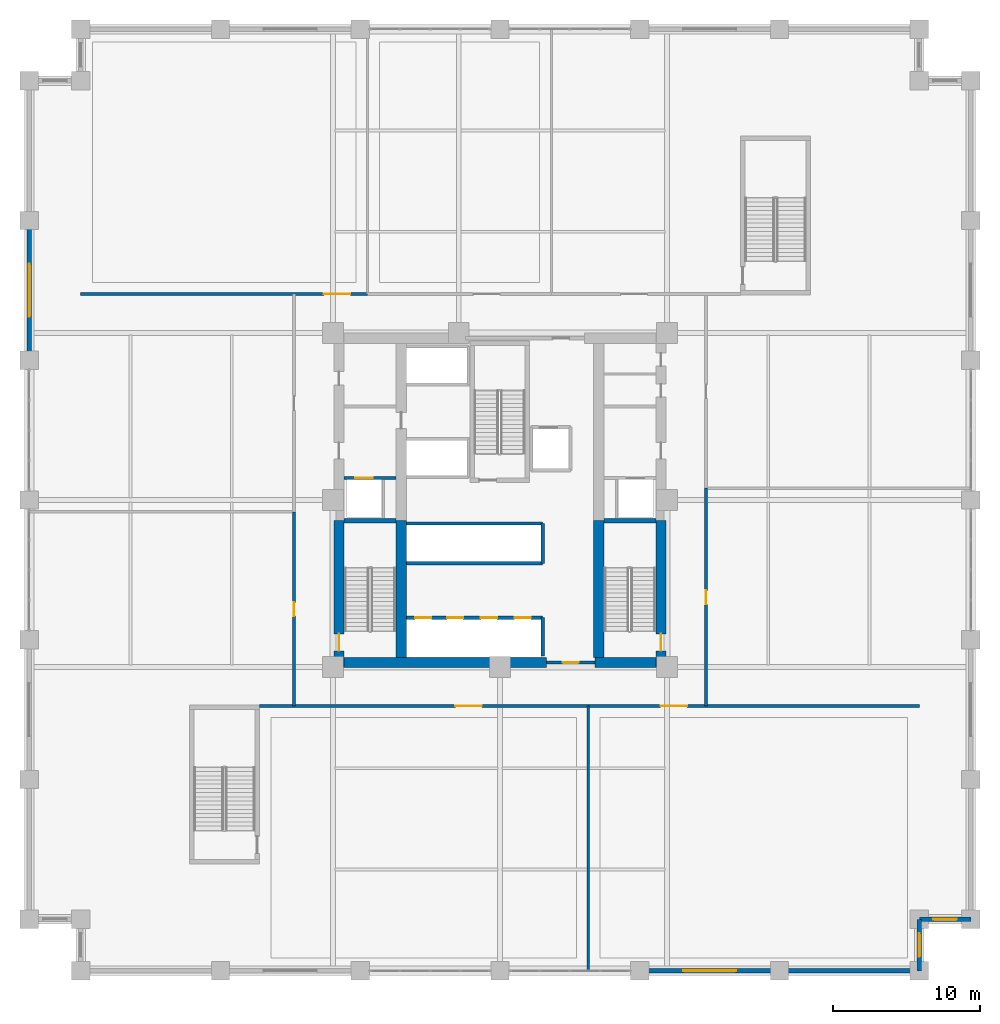
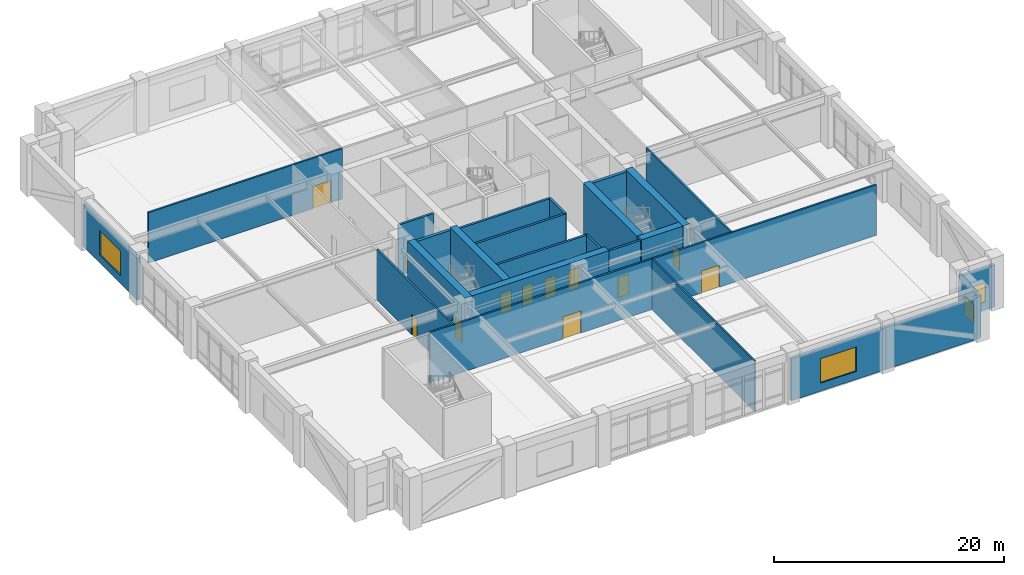
# One storey, part 12 of 21: 26 walls, 13 doors, 4 windows, 17 openings.
"""IFC4 building model written with IfcOpenShell, lengths in metres."""

import ifcopenshell
import ifcopenshell.guid

model = None  # the IFC model being written
_history = None  # IfcOwnerHistory: only IFC2X3 demands one
_inside = {}  # id of a spatial element -> (the spatial element, [elements in it])
_under = {}  # id of a project, library or spatial element -> (it, [spatial elements below it])
_declared = {}  # id of a project -> (the project, [libraries it declares])
_typed = {}  # id of a type object -> (the type object, [elements of that type])
_made_of = {}  # id of a material, layer set ... -> (it, [elements and type objects made of it])


def new_model(schema):
    """Start an empty IFC model of exactly this schema.

    Asked for "IFC4X3", IfcOpenShell would pick the latest addendum, in which some entities
    have other attributes; the version numbers below select the first issue.
    IFC2X3 requires an IfcOwnerHistory on every rooted entity: one is made here for all.
    """
    global model, _history
    if schema == "IFC4X3":
        model = ifcopenshell.file(schema_version=(4, 3, 0, 0))
    else:
        model = ifcopenshell.file(schema=schema)
    _inside.clear()
    _under.clear()
    _declared.clear()
    _typed.clear()
    _made_of.clear()
    _history = None
    if model.schema == "IFC2X3":
        org = make("IfcOrganization", Name="unknown")
        user = make(
            "IfcPersonAndOrganization",
            ThePerson=make("IfcPerson", FamilyName="unknown"),
            TheOrganization=org,
        )
        app = make(
            "IfcApplication",
            ApplicationDeveloper=org,
            Version="unknown",
            ApplicationFullName="unknown",
            ApplicationIdentifier="unknown",
        )
        _history = make(
            "IfcOwnerHistory",
            OwningUser=user,
            OwningApplication=app,
            ChangeAction="ADDED",
            CreationDate=0,
        )
    return model


def make(cls, **values):
    """One entity of the class cls with the attributes given. An attribute that is None is left unset."""
    return model.create_entity(
        cls, **{name: value for name, value in values.items() if value is not None}
    )


def rooted(cls, **values):
    """An entity with a GlobalId (a new one), such as an element, a storey or a relation."""
    return make(cls, GlobalId=ifcopenshell.guid.new(), OwnerHistory=_history, **values)


def si_unit(unit_type, name, prefix=None):
    """IfcSIUnit, for example si_unit("LENGTHUNIT", "METRE", prefix="MILLI")."""
    return make("IfcSIUnit", UnitType=unit_type, Prefix=prefix, Name=name)


def assignment(units):
    """IfcUnitAssignment: the units of a project."""
    return None if units is None else make("IfcUnitAssignment", Units=units)


def point(xyz):
    """IfcCartesianPoint."""
    return None if xyz is None else make("IfcCartesianPoint", Coordinates=xyz)


def direction(xyz):
    """IfcDirection."""
    return None if xyz is None else make("IfcDirection", DirectionRatios=xyz)


def frame(location, z_axis=None, x_axis=None):
    """IfcAxis2Placement3D, a coordinate frame: its origin and axes. An axis left out is left unset."""
    return make(
        "IfcAxis2Placement3D",
        Location=point(location),
        Axis=direction(z_axis),
        RefDirection=direction(x_axis),
    )


def frame_2d(location, x_axis=None):
    """IfcAxis2Placement2D, a coordinate frame in the plane: its origin and x axis."""
    return make(
        "IfcAxis2Placement2D", Location=point(location), RefDirection=direction(x_axis)
    )


def origin():
    """The frame at (0, 0, 0) with its axes left unset."""
    return frame((0.0, 0.0, 0.0))


def place(relative_to, where):
    """IfcLocalPlacement: puts the frame where relative to a parent placement (None: the world)."""
    return make(
        "IfcLocalPlacement", PlacementRelTo=relative_to, RelativePlacement=where
    )


def context(
    kind, dimensions, precision=None, world=None, true_north=None, identifier=None
):
    """IfcGeometricRepresentationContext, for example the 3D "Model" context."""
    return make(
        "IfcGeometricRepresentationContext",
        ContextIdentifier=identifier,
        ContextType=kind,
        CoordinateSpaceDimension=dimensions,
        Precision=precision,
        WorldCoordinateSystem=world,
        TrueNorth=true_north,
    )


def subcontext(parent, identifier, kind, view, scale=None):
    """IfcGeometricRepresentationSubContext, for example "Body" below "Model"."""
    return make(
        "IfcGeometricRepresentationSubContext",
        ContextIdentifier=identifier,
        ContextType=kind,
        ParentContext=parent,
        TargetScale=scale,
        TargetView=view,
    )


def project(units=None, contexts=None):
    """IfcProject with its units and contexts."""
    return rooted(
        "IfcProject",
        Name="project",
        RepresentationContexts=contexts,
        UnitsInContext=assignment(units),
    )


def spatial(cls, under=None, at=None, **own):
    """A site, building, storey or space (cls), placed at a placement, below another one or the project."""
    s = rooted(cls, ObjectPlacement=at, **own)
    if under is not None:
        _under.setdefault(under.id(), (under, []))[1].append(s)
    return s


def profile(cls, at=None, kind="AREA", **sizes):
    """A parametric profile (cls). Its sizes go by their IFC names, for example OverallWidth=200.0."""
    return make(cls, ProfileType=kind, Position=at, **sizes)


def rectangle(**sizes):
    """IfcRectangleProfileDef."""
    return profile("IfcRectangleProfileDef", **sizes)


def extrude(swept, where, along, depth):
    """IfcExtrudedAreaSolid: the profile swept, set in the frame where, extruded along a direction by depth."""
    return make(
        "IfcExtrudedAreaSolid",
        SweptArea=swept,
        Position=where,
        ExtrudedDirection=direction(along),
        Depth=depth,
    )


def shape(context_of_items, identifier, shape_type, items):
    """IfcShapeRepresentation: the items that make up one representation, for example the "Body"."""
    return make(
        "IfcShapeRepresentation",
        ContextOfItems=context_of_items,
        RepresentationIdentifier=identifier,
        RepresentationType=shape_type,
        Items=items,
    )


def material(Name=None, Category=None):
    """IfcMaterial."""
    return make("IfcMaterial", Name=Name, Category=Category)


def layer(
    of_material, thickness, ventilated=None, Name=None, Category=None, Priority=None
):
    """IfcMaterialLayer: one layer of a wall or slab, of a material (None: an air gap)."""
    return make(
        "IfcMaterialLayer",
        Material=of_material,
        LayerThickness=thickness,
        IsVentilated=ventilated,
        Name=Name,
        Category=Category,
        Priority=Priority,
    )


def layer_set(layers, Name=None):
    """IfcMaterialLayerSet."""
    return make("IfcMaterialLayerSet", MaterialLayers=layers, LayerSetName=Name)


def made_of(thing, what):
    """Note that an element or type object is made of a material, layer set ...; save() writes the relation."""
    if what is not None:
        _made_of.setdefault(what.id(), (what, []))[1].append(thing)
    return thing


def type_object(cls, material=None, **own):
    """A type object (cls), such as IfcWallType, which elements share."""
    return made_of(rooted(cls, **own), material)


def element(
    cls,
    number,
    at=None,
    inside=None,
    cuts=None,
    type_object=None,
    material=None,
    context=None,
    identifier="Body",
    shape_type=None,
    held_by="IfcProductDefinitionShape",
    body=None,
    shapes=None,
    **own,
):
    """One element of the class cls, such as IfcWall. Its Tag is "e" and its number.

    at: its placement. inside: the storey or other place that contains it. cuts: it is an
    opening in that element (IfcRelVoidsElement). A single representation is given by context,
    identifier, shape_type and body (its items); several are given by shapes. held_by: the class
    of the entity that holds the representations. save() writes the other relations.
    """
    e = rooted(cls, Tag="e%d" % number, ObjectPlacement=at, **own)
    if body is not None:
        shapes = [shape(context, identifier, shape_type, body)]
    if shapes is not None:
        e.Representation = make(held_by, Representations=shapes)
    if inside is not None:
        _inside.setdefault(inside.id(), (inside, []))[1].append(e)
    if cuts is not None:
        rooted(
            "IfcRelVoidsElement", RelatingBuildingElement=cuts, RelatedOpeningElement=e
        )
    if type_object is not None:
        _typed.setdefault(type_object.id(), (type_object, []))[1].append(e)
    return made_of(e, material)


def fill(opening, filler):
    """IfcRelFillsElement: the door or window that sits in an opening."""
    return rooted(
        "IfcRelFillsElement",
        RelatingOpeningElement=opening,
        RelatedBuildingElement=filler,
    )


def aggregate(whole, parts):
    """IfcRelAggregates: a whole, such as a stair, and the parts it consists of."""
    return rooted("IfcRelAggregates", RelatingObject=whole, RelatedObjects=parts)


def save(model, path):
    """Write the relations noted so far, then the file.

    IfcRelAggregates (storeys below a building ...), IfcRelContainedInSpatialStructure (elements
    in a storey), IfcRelDefinesByType, IfcRelAssociatesMaterial and IfcRelDeclares: one each for
    every whole, place, type object, material and project.
    """
    for whole, parts in _under.values():
        aggregate(whole, parts)
    for where, things in _inside.values():
        rooted(
            "IfcRelContainedInSpatialStructure",
            RelatedElements=things,
            RelatingStructure=where,
        )
    for kind, things in _typed.values():
        rooted("IfcRelDefinesByType", RelatedObjects=things, RelatingType=kind)
    for what, things in _made_of.values():
        rooted("IfcRelAssociatesMaterial", RelatedObjects=things, RelatingMaterial=what)
    for by, libraries in _declared.values():
        rooted("IfcRelDeclares", RelatingContext=by, RelatedDefinitions=libraries)
    model.write(path)


model = new_model("IFC4")

# Units and contexts
model_context = context("Model", 3, precision=1e-05, world=origin(), true_north=direction((0.0, 1.0)))
body_context = subcontext(model_context, "Body", "Model", "MODEL_VIEW")
ifc_project = project(units=[si_unit("LENGTHUNIT", "METRE"), si_unit("AREAUNIT", "SQUARE_METRE"), si_unit("VOLUMEUNIT", "CUBIC_METRE"), si_unit("PLANEANGLEUNIT", "RADIAN"), si_unit("MASSUNIT", "GRAM", prefix="KILO")], contexts=[model_context])

# Site, building, storey
site_placement = place(None, origin())
site = spatial("IfcSite", under=ifc_project, at=site_placement, CompositionType="ELEMENT")
building_placement = place(site_placement, origin())
building = spatial("IfcBuilding", under=site, at=building_placement, Name="Nhamokura Convention Tower", CompositionType="ELEMENT")
storey_placement = place(building_placement, frame((0.0, 0.0, 6.64990234375)))
storey = spatial("IfcBuildingStorey", under=building, at=storey_placement, Name="L01", CompositionType="ELEMENT", Elevation=6.64990234375)

# Wall, opening, window
ifc_material_1 = material(Name="Bronze-pigmented precast concrete C45/55", Category="concrete")
ifc_layer_1 = layer(ifc_material_1, 0.320068359375)
ifc_layer_set_1 = layer_set([ifc_layer_1], Name="BronzePrecastSpandrel_320")
wall_type_1 = type_object("IfcWallType", Name="BronzePrecastSpandrel_320", PredefinedType="USERDEFINED", material=ifc_layer_set_1)
wall_1_placement = place(storey_placement, frame((51.0, 0.0, 0.0), z_axis=(0.0, 0.0, 1.0), x_axis=(-1.0, 0.0, 0.0)))
wall_1 = element("IfcWall", 1, at=wall_1_placement, inside=storey, type_object=wall_type_1, Name="L01 Masonry-Frame Wall SOUTH 4", ObjectType="SPANDREL_WALL", PredefinedType="USERDEFINED", context=body_context, shape_type="SweptSolid", body=[
    extrude(rectangle(XDim=9.5, YDim=0.320068359375, at=frame_2d((4.75, 0.0))), origin(), (0.0, 0.0, 1.0), 4.460205078125),
])
opening_1_placement = place(wall_1_placement, frame((2.949951171875, 0.0, 0.85009765625)))
opening_1 = element("IfcOpeningElement", 2, at=opening_1_placement, cuts=wall_1, Name="Opening W-01", PredefinedType="OPENING", context=body_context, shape_type="SweptSolid", body=[
    extrude(rectangle(XDim=3.60009765625, YDim=2.60009765625, at=frame_2d((1.800048828125, 1.300048828125))), frame((0.0, 0.169921875, 0.0), z_axis=(0.0, -1.0, 0.0), x_axis=(1.0, 0.0, 0.0)), (0.0, 0.0, 1.0), 0.340087890625),
])
ifc_material_2 = material(Name="Solar-control bronze low-E double glass", Category="glass")
window_type_1 = type_object("IfcWindowType", Name="PodiumClerestoryWindow_3600", PartitioningType="TRIPLE_PANEL_VERTICAL", PredefinedType="WINDOW", material=ifc_material_2)
window_1_placement = place(opening_1_placement, origin())
window_1 = element("IfcWindow", 3, at=window_1_placement, inside=storey, type_object=window_type_1, Name="L01 Facade Window SOUTH 4", OverallHeight=2.60009765625, OverallWidth=3.60009765625, PartitioningType="SINGLE_PANEL", PredefinedType="WINDOW", context=body_context, shape_type="SweptSolid", body=[
    extrude(rectangle(XDim=3.60009765625, YDim=2.60009765625, at=frame_2d((1.800048828125, 1.300048828125))), frame((0.0, 0.030029296875, 0.0), z_axis=(0.0, -1.0, 0.0), x_axis=(1.0, 0.0, 0.0)), (0.0, 0.0, 1.0), 0.06005859375),
])
fill(opening_1, window_1)

# Wall
wall_2_placement = place(storey_placement, frame((60.5, 0.0, 0.0), z_axis=(0.0, 0.0, 1.0), x_axis=(-1.0, 0.0, 0.0)))
element("IfcWall", 4, at=wall_2_placement, inside=storey, type_object=wall_type_1, Name="L01 Braced-Bay Precast Wall SOUTH 5", ObjectType="SPANDREL_WALL", PredefinedType="USERDEFINED", context=body_context, shape_type="SweptSolid", body=[
    extrude(rectangle(XDim=9.5, YDim=0.320068359375, at=frame_2d((4.75, 0.0))), origin(), (0.0, 0.0, 1.0), 4.460205078125),
])

# Wall, opening, window
wall_3_placement = place(storey_placement, frame((0.0, 41.5, 0.0), z_axis=(0.0, 0.0, 1.0), x_axis=(0.0, 1.0, 0.0)))
wall_3 = element("IfcWall", 5, at=wall_3_placement, inside=storey, type_object=wall_type_1, Name="L01 Masonry-Frame Wall WEST 4", ObjectType="SPANDREL_WALL", PredefinedType="USERDEFINED", context=body_context, shape_type="SweptSolid", body=[
    extrude(rectangle(XDim=9.5, YDim=0.320068359375, at=frame_2d((4.75, 0.0))), origin(), (0.0, 0.0, 1.0), 4.460205078125),
])
opening_2_placement = place(wall_3_placement, frame((2.949951171875, 0.0, 0.85009765625)))
opening_2 = element("IfcOpeningElement", 6, at=opening_2_placement, cuts=wall_3, Name="Opening W-01", PredefinedType="OPENING", context=body_context, shape_type="SweptSolid", body=[
    extrude(rectangle(XDim=3.60009765625, YDim=2.60009765625, at=frame_2d((1.800048828125, 1.300048828125))), frame((0.0, 0.169921875, 0.0), z_axis=(0.0, -1.0, 0.0), x_axis=(1.0, 0.0, 0.0)), (0.0, 0.0, 1.0), 0.340087890625),
])
window_2_placement = place(opening_2_placement, origin())
window_2 = element("IfcWindow", 7, at=window_2_placement, inside=storey, type_object=window_type_1, Name="L01 Facade Window WEST 4", OverallHeight=2.60009765625, OverallWidth=3.60009765625, PartitioningType="SINGLE_PANEL", PredefinedType="WINDOW", context=body_context, shape_type="SweptSolid", body=[
    extrude(rectangle(XDim=3.60009765625, YDim=2.60009765625, at=frame_2d((1.800048828125, 1.300048828125))), frame((0.0, 0.030029296875, 0.0), z_axis=(0.0, -1.0, 0.0), x_axis=(1.0, 0.0, 0.0)), (0.0, 0.0, 1.0), 0.06005859375),
])
fill(opening_2, window_2)

wall_4_placement = place(storey_placement, frame((60.5, 3.5, 0.0), z_axis=(0.0, 0.0, 1.0), x_axis=(0.0, -1.0, 0.0)))
wall_4 = element("IfcWall", 8, at=wall_4_placement, inside=storey, type_object=wall_type_1, Name="L01 Notched Corner Wall SE1", ObjectType="SPANDREL_WALL", PredefinedType="USERDEFINED", context=body_context, shape_type="SweptSolid", body=[
    extrude(rectangle(XDim=3.5, YDim=0.320068359375, at=frame_2d((1.75, 0.0))), origin(), (0.0, 0.0, 1.0), 4.460205078125),
])
opening_3_placement = place(wall_4_placement, frame((0.949951171875, 0.0, 0.85009765625)))
opening_3 = element("IfcOpeningElement", 9, at=opening_3_placement, cuts=wall_4, Name="Opening W-11", PredefinedType="OPENING", context=body_context, shape_type="SweptSolid", body=[
    extrude(rectangle(XDim=1.60009765625, YDim=2.050048828125, at=frame_2d((0.800048828125, 1.02490234375))), frame((0.0, 0.169921875, 0.0), z_axis=(0.0, -1.0, 0.0), x_axis=(1.0, 0.0, 0.0)), (0.0, 0.0, 1.0), 0.340087890625),
])
ifc_material_3 = material(Name="Solar-control bronze low-E double glass", Category="glass")
window_type_2 = type_object("IfcWindowType", Name="NotchCornerWindow_1600", PartitioningType="SINGLE_PANEL", PredefinedType="WINDOW", material=ifc_material_3)
window_3_placement = place(opening_3_placement, origin())
window_3 = element("IfcWindow", 10, at=window_3_placement, inside=storey, type_object=window_type_2, Name="L01 Notched Corner Window SE1", OverallHeight=2.050048828125, OverallWidth=1.60009765625, PartitioningType="SINGLE_PANEL", PredefinedType="WINDOW", context=body_context, shape_type="SweptSolid", body=[
    extrude(rectangle(XDim=1.60009765625, YDim=2.050048828125, at=frame_2d((0.800048828125, 1.02490234375))), frame((0.0, 0.030029296875, 0.0), z_axis=(0.0, -1.0, 0.0), x_axis=(1.0, 0.0, 0.0)), (0.0, 0.0, 1.0), 0.06005859375),
])
fill(opening_3, window_3)

wall_5_placement = place(storey_placement, frame((64.0, 3.5, 0.0), z_axis=(0.0, 0.0, 1.0), x_axis=(-1.0, 0.0, 0.0)))
wall_5 = element("IfcWall", 11, at=wall_5_placement, inside=storey, type_object=wall_type_1, Name="L01 Notched Corner Wall SE2", ObjectType="SPANDREL_WALL", PredefinedType="USERDEFINED", context=body_context, shape_type="SweptSolid", body=[
    extrude(rectangle(XDim=3.5, YDim=0.320068359375, at=frame_2d((1.75, 0.0))), origin(), (0.0, 0.0, 1.0), 4.460205078125),
])
opening_4_placement = place(wall_5_placement, frame((0.949951171875, 0.0, 0.85009765625)))
opening_4 = element("IfcOpeningElement", 12, at=opening_4_placement, cuts=wall_5, Name="Opening W-11", PredefinedType="OPENING", context=body_context, shape_type="SweptSolid", body=[
    extrude(rectangle(XDim=1.60009765625, YDim=2.050048828125, at=frame_2d((0.800048828125, 1.02490234375))), frame((0.0, 0.169921875, 0.0), z_axis=(0.0, -1.0, 0.0), x_axis=(1.0, 0.0, 0.0)), (0.0, 0.0, 1.0), 0.340087890625),
])
window_4_placement = place(opening_4_placement, origin())
window_4 = element("IfcWindow", 13, at=window_4_placement, inside=storey, type_object=window_type_2, Name="L01 Notched Corner Window SE2", OverallHeight=2.050048828125, OverallWidth=1.60009765625, PartitioningType="SINGLE_PANEL", PredefinedType="WINDOW", context=body_context, shape_type="SweptSolid", body=[
    extrude(rectangle(XDim=1.60009765625, YDim=2.050048828125, at=frame_2d((0.800048828125, 1.02490234375))), frame((0.0, 0.030029296875, 0.0), z_axis=(0.0, -1.0, 0.0), x_axis=(1.0, 0.0, 0.0)), (0.0, 0.0, 1.0), 0.06005859375),
])
fill(opening_4, window_4)

# Wall, opening, door
ifc_material_4 = material(Name="Concrete C70/85", Category="concrete")
ifc_layer_2 = layer(ifc_material_4, 0.699951171875)
ifc_layer_set_2 = layer_set([ifc_layer_2], Name="CoreShearWall_700")
wall_type_2 = type_object("IfcWallType", Name="CoreShearWall_700", PredefinedType="SHEAR", material=ifc_layer_set_2)
wall_6_placement = place(storey_placement, frame((21.06005859375, 20.60009765625, 0.0), z_axis=(0.0, 0.0, 1.0), x_axis=(0.0, 1.0, 0.0)))
wall_6 = element("IfcWall", 14, at=wall_6_placement, inside=storey, type_object=wall_type_2, Name="L01 Core Shear Wall CW-WS", PredefinedType="SHEAR", context=body_context, shape_type="SweptSolid", body=[
    extrude(rectangle(XDim=10.0, YDim=0.699951171875, at=frame_2d((5.0, 0.0))), origin(), (0.0, 0.0, 1.0), 5.60009765625),
])
opening_5_placement = place(wall_6_placement, frame((1.14990234375, 0.0, 0.0)))
opening_5 = element("IfcOpeningElement", 15, at=opening_5_placement, cuts=wall_6, Name="Opening D-04", PredefinedType="OPENING", context=body_context, shape_type="SweptSolid", body=[
    extrude(rectangle(XDim=1.14990234375, YDim=2.14990234375, at=frame_2d((0.574951171875, 1.074951171875))), frame((0.0, 0.35986328125, 0.0), z_axis=(0.0, -1.0, 0.0), x_axis=(1.0, 0.0, 0.0)), (0.0, 0.0, 1.0), 0.719970703125),
])
ifc_material_5 = material(Name="Fire-rated steel door", Category="steel")
door_type_1 = type_object("IfcDoorType", Name="StairSmokeDoor_1150", OperationType="NOTDEFINED", PredefinedType="DOOR", material=ifc_material_5)
door_1_placement = place(opening_5_placement, origin())
door_1 = element("IfcDoor", 16, at=door_1_placement, inside=storey, type_object=door_type_1, Name="L01 Core Door INT-L01-D-ST01", OperationType="SINGLE_SWING_LEFT", OverallHeight=2.14990234375, OverallWidth=1.14990234375, PredefinedType="DOOR", context=body_context, shape_type="SweptSolid", body=[
    extrude(rectangle(XDim=1.14990234375, YDim=2.14990234375, at=frame_2d((0.574951171875, 1.074951171875))), frame((0.0, 0.02490234375, 0.0), z_axis=(0.0, -1.0, 0.0), x_axis=(1.0, 0.0, 0.0)), (0.0, 0.0, 1.0), 0.050048828125),
])
fill(opening_5, door_1)

wall_7_placement = place(storey_placement, frame((42.93994140625, 20.60009765625, 0.0), z_axis=(0.0, 0.0, 1.0), x_axis=(0.0, 1.0, 0.0)))
wall_7 = element("IfcWall", 17, at=wall_7_placement, inside=storey, type_object=wall_type_2, Name="L01 Core Shear Wall CW-ES", PredefinedType="SHEAR", context=body_context, shape_type="SweptSolid", body=[
    extrude(rectangle(XDim=10.0, YDim=0.699951171875, at=frame_2d((5.0, 0.0))), origin(), (0.0, 0.0, 1.0), 5.60009765625),
])
opening_6_placement = place(wall_7_placement, frame((1.14990234375, 0.0, 0.0)))
opening_6 = element("IfcOpeningElement", 18, at=opening_6_placement, cuts=wall_7, Name="Opening D-04", PredefinedType="OPENING", context=body_context, shape_type="SweptSolid", body=[
    extrude(rectangle(XDim=1.14990234375, YDim=2.14990234375, at=frame_2d((0.574951171875, 1.074951171875))), frame((0.0, 0.35986328125, 0.0), z_axis=(0.0, -1.0, 0.0), x_axis=(1.0, 0.0, 0.0)), (0.0, 0.0, 1.0), 0.719970703125),
])
door_2_placement = place(opening_6_placement, origin())
door_2 = element("IfcDoor", 19, at=door_2_placement, inside=storey, type_object=door_type_1, Name="L01 Core Door INT-L01-D-ST02", OperationType="SINGLE_SWING_RIGHT", OverallHeight=2.14990234375, OverallWidth=1.14990234375, PredefinedType="DOOR", context=body_context, shape_type="SweptSolid", body=[
    extrude(rectangle(XDim=1.14990234375, YDim=2.14990234375, at=frame_2d((0.574951171875, 1.074951171875))), frame((0.0, 0.02490234375, 0.0), z_axis=(0.0, -1.0, 0.0), x_axis=(1.0, 0.0, 0.0)), (0.0, 0.0, 1.0), 0.050048828125),
])
fill(opening_6, door_2)

# Walls
wall_8_placement = place(storey_placement, frame((21.409912109375, 20.949951171875, 0.0), z_axis=(0.0, 0.0, 1.0), x_axis=(1.0, 0.0, 0.0)))
element("IfcWall", 20, at=wall_8_placement, inside=storey, type_object=wall_type_2, Name="L01 Core Shear Wall CW-S1", PredefinedType="SHEAR", context=body_context, shape_type="SweptSolid", body=[
    extrude(rectangle(XDim=13.739990234375, YDim=0.699951171875, at=frame_2d((6.8701171875, 0.0))), origin(), (0.0, 0.0, 1.0), 5.60009765625),
])
wall_9_placement = place(storey_placement, frame((38.449951171875, 20.949951171875, 0.0), z_axis=(0.0, 0.0, 1.0), x_axis=(1.0, 0.0, 0.0)))
element("IfcWall", 21, at=wall_9_placement, inside=storey, type_object=wall_type_2, Name="L01 Core Shear Wall CW-S2", PredefinedType="SHEAR", context=body_context, shape_type="SweptSolid", body=[
    extrude(rectangle(XDim=4.14013671875, YDim=0.699951171875, at=frame_2d((2.070068359375, 0.0))), origin(), (0.0, 0.0, 1.0), 5.60009765625),
])
for number, where, z_axis, x_axis, name in (
    (22, (25.2900390625, 21.300048828125, 0.0), (0.0, 0.0, 1.0), (0.0, 1.0, 0.0), "L01 Core Shear Wall CW-IWS"),
    (23, (38.7099609375, 21.300048828125, 0.0), (0.0, 0.0, 1.0), (0.0, 1.0, 0.0), "L01 Core Shear Wall CW-IES"),
):
    element("IfcWall", number, at=place(storey_placement, frame(where, z_axis=z_axis, x_axis=x_axis)), inside=storey, type_object=wall_type_2, Name=name, PredefinedType="SHEAR", context=body_context, shape_type="SweptSolid", body=[
        extrude(rectangle(XDim=9.300048828125, YDim=0.699951171875, at=frame_2d((4.64990234375, 0.0))), origin(), (0.0, 0.0, 1.0), 5.60009765625),
    ])

# Wall, opening, door
ifc_material_6 = material(Name="Fire-rated gypsum and masonry partition", Category="masonry")
ifc_layer_3 = layer(ifc_material_6, 0.179931640625)
ifc_layer_set_3 = layer_set([ifc_layer_3], Name="CorridorRatedWall_180")
wall_type_3 = type_object("IfcWallType", Name="CorridorRatedWall_180", PredefinedType="STANDARD", material=ifc_layer_set_3)
wall_10_placement = place(storey_placement, frame((15.64990234375, 18.0, 0.0), z_axis=(0.0, 0.0, 1.0), x_axis=(1.0, 0.0, 0.0)))
wall_10 = element("IfcWall", 24, at=wall_10_placement, inside=storey, type_object=wall_type_3, Name="L01 Wall INT-L01-CW-S00", PredefinedType="STANDARD", context=body_context, shape_type="SweptSolid", body=[
    extrude(rectangle(XDim=22.35009765625, YDim=0.179931640625, at=frame_2d((11.175048828125, 0.0))), origin(), (0.0, 0.0, 1.0), 5.360107421875),
])
opening_7_placement = place(wall_10_placement, frame((13.324951171875, 0.0, 0.0)))
opening_7 = element("IfcOpeningElement", 25, at=opening_7_placement, cuts=wall_10, Name="Opening D-03", PredefinedType="OPENING", context=body_context, shape_type="SweptSolid", body=[
    extrude(rectangle(XDim=1.800048828125, YDim=2.35009765625, at=frame_2d((0.89990234375, 1.175048828125))), frame((0.0, 0.099853515625, 0.0), z_axis=(0.0, -1.0, 0.0), x_axis=(1.0, 0.0, 0.0)), (0.0, 0.0, 1.0), 0.199951171875),
])
ifc_material_7 = material(Name="Solid oak hardwood", Category="wood")
door_type_2 = type_object("IfcDoorType", Name="BallroomDoubleDoor_1800", OperationType="DOUBLE_DOOR_SINGLE_SWING", PredefinedType="DOOR", material=ifc_material_7)
door_3_placement = place(opening_7_placement, origin())
door_3 = element("IfcDoor", 26, at=door_3_placement, inside=storey, type_object=door_type_2, Name="L01 Exhibition Hall A S01 Door", OperationType="SINGLE_SWING_LEFT", OverallHeight=2.35009765625, OverallWidth=1.800048828125, PredefinedType="DOOR", context=body_context, shape_type="SweptSolid", body=[
    extrude(rectangle(XDim=1.800048828125, YDim=2.35009765625, at=frame_2d((0.89990234375, 1.175048828125))), frame((0.0, 0.02490234375, 0.0), z_axis=(0.0, -1.0, 0.0), x_axis=(1.0, 0.0, 0.0)), (0.0, 0.0, 1.0), 0.050048828125),
])
fill(opening_7, door_3)

wall_11_placement = place(storey_placement, frame((38.0, 18.0, 0.0), z_axis=(0.0, 0.0, 1.0), x_axis=(1.0, 0.0, 0.0)))
wall_11 = element("IfcWall", 27, at=wall_11_placement, inside=storey, type_object=wall_type_3, Name="L01 Wall INT-L01-CW-S01", PredefinedType="STANDARD", context=body_context, shape_type="SweptSolid", body=[
    extrude(rectangle(XDim=22.5, YDim=0.179931640625, at=frame_2d((11.25, 0.0))), origin(), (0.0, 0.0, 1.0), 5.360107421875),
])
opening_8_placement = place(wall_11_placement, frame((4.925048828125, 0.0, 0.0)))
opening_8 = element("IfcOpeningElement", 28, at=opening_8_placement, cuts=wall_11, Name="Opening D-03", PredefinedType="OPENING", context=body_context, shape_type="SweptSolid", body=[
    extrude(rectangle(XDim=1.800048828125, YDim=2.35009765625, at=frame_2d((0.89990234375, 1.175048828125))), frame((0.0, 0.099853515625, 0.0), z_axis=(0.0, -1.0, 0.0), x_axis=(1.0, 0.0, 0.0)), (0.0, 0.0, 1.0), 0.199951171875),
])
door_4_placement = place(opening_8_placement, origin())
door_4 = element("IfcDoor", 29, at=door_4_placement, inside=storey, type_object=door_type_2, Name="L01 Exhibition Hall B S02 Door", OperationType="SINGLE_SWING_RIGHT", OverallHeight=2.35009765625, OverallWidth=1.800048828125, PredefinedType="DOOR", context=body_context, shape_type="SweptSolid", body=[
    extrude(rectangle(XDim=1.800048828125, YDim=2.35009765625, at=frame_2d((0.89990234375, 1.175048828125))), frame((0.0, 0.02490234375, 0.0), z_axis=(0.0, -1.0, 0.0), x_axis=(1.0, 0.0, 0.0)), (0.0, 0.0, 1.0), 0.050048828125),
])
fill(opening_8, door_4)

wall_12_placement = place(storey_placement, frame((3.5, 46.0, 0.0), z_axis=(0.0, 0.0, 1.0), x_axis=(1.0, 0.0, 0.0)))
wall_12 = element("IfcWall", 30, at=wall_12_placement, inside=storey, type_object=wall_type_3, Name="L01 Wall INT-L01-CW-N00", PredefinedType="STANDARD", context=body_context, shape_type="SweptSolid", body=[
    extrude(rectangle(XDim=19.5, YDim=0.179931640625, at=frame_2d((9.75, 0.0))), origin(), (0.0, 0.0, 1.0), 5.360107421875),
])
opening_9_placement = place(wall_12_placement, frame((16.52490234375, 0.0, 0.0)))
opening_9 = element("IfcOpeningElement", 31, at=opening_9_placement, cuts=wall_12, Name="Opening D-03", PredefinedType="OPENING", context=body_context, shape_type="SweptSolid", body=[
    extrude(rectangle(XDim=1.800048828125, YDim=2.35009765625, at=frame_2d((0.89990234375, 1.175048828125))), frame((0.0, 0.099853515625, 0.0), z_axis=(0.0, -1.0, 0.0), x_axis=(1.0, 0.0, 0.0)), (0.0, 0.0, 1.0), 0.199951171875),
])
door_5_placement = place(opening_9_placement, origin())
door_5 = element("IfcDoor", 32, at=door_5_placement, inside=storey, type_object=door_type_2, Name="L01 Exhibitor Service Office N01 Door", OperationType="SINGLE_SWING_LEFT", OverallHeight=2.35009765625, OverallWidth=1.800048828125, PredefinedType="DOOR", context=body_context, shape_type="SweptSolid", body=[
    extrude(rectangle(XDim=1.800048828125, YDim=2.35009765625, at=frame_2d((0.89990234375, 1.175048828125))), frame((0.0, 0.02490234375, 0.0), z_axis=(0.0, -1.0, 0.0), x_axis=(1.0, 0.0, 0.0)), (0.0, 0.0, 1.0), 0.050048828125),
])
fill(opening_9, door_5)

wall_13_placement = place(storey_placement, frame((18.0, 18.0, 0.0), z_axis=(0.0, 0.0, 1.0), x_axis=(0.0, 1.0, 0.0)))
wall_13 = element("IfcWall", 33, at=wall_13_placement, inside=storey, type_object=wall_type_3, Name="L01 Wall INT-L01-CW-W00", PredefinedType="STANDARD", context=body_context, shape_type="SweptSolid", body=[
    extrude(rectangle(XDim=13.199951171875, YDim=0.179931640625, at=frame_2d((6.60009765625, 0.0))), origin(), (0.0, 0.0, 1.0), 5.360107421875),
])
opening_10_placement = place(wall_13_placement, frame((6.10009765625, 0.0, 0.0)))
opening_10 = element("IfcOpeningElement", 34, at=opening_10_placement, cuts=wall_13, Name="Opening D-09", PredefinedType="OPENING", context=body_context, shape_type="SweptSolid", body=[
    extrude(rectangle(XDim=0.949951171875, YDim=2.14990234375, at=frame_2d((0.47509765625, 1.074951171875))), frame((0.0, 0.099853515625, 0.0), z_axis=(0.0, -1.0, 0.0), x_axis=(1.0, 0.0, 0.0)), (0.0, 0.0, 1.0), 0.199951171875),
])
ifc_material_8 = material(Name="Solid oak hardwood", Category="wood")
door_type_3 = type_object("IfcDoorType", Name="MeetingRoomDoor_950", OperationType="NOTDEFINED", PredefinedType="DOOR", material=ifc_material_8)
door_6_placement = place(opening_10_placement, origin())
door_6 = element("IfcDoor", 35, at=door_6_placement, inside=storey, type_object=door_type_3, Name="L01 Private Office W01 Door", OperationType="SINGLE_SWING_LEFT", OverallHeight=2.14990234375, OverallWidth=0.949951171875, PredefinedType="DOOR", context=body_context, shape_type="SweptSolid", body=[
    extrude(rectangle(XDim=0.949951171875, YDim=2.14990234375, at=frame_2d((0.47509765625, 1.074951171875))), frame((0.0, 0.02490234375, 0.0), z_axis=(0.0, -1.0, 0.0), x_axis=(1.0, 0.0, 0.0)), (0.0, 0.0, 1.0), 0.050048828125),
])
fill(opening_10, door_6)

wall_14_placement = place(storey_placement, frame((46.0, 18.0, 0.0), z_axis=(0.0, 0.0, 1.0), x_axis=(0.0, 1.0, 0.0)))
wall_14 = element("IfcWall", 36, at=wall_14_placement, inside=storey, type_object=wall_type_3, Name="L01 Wall INT-L01-CW-E00", PredefinedType="STANDARD", context=body_context, shape_type="SweptSolid", body=[
    extrude(rectangle(XDim=14.800048828125, YDim=0.179931640625, at=frame_2d((7.39990234375, 0.0))), origin(), (0.0, 0.0, 1.0), 5.360107421875),
])
opening_11_placement = place(wall_14_placement, frame((6.89990234375, 0.0, 0.0)))
opening_11 = element("IfcOpeningElement", 37, at=opening_11_placement, cuts=wall_14, Name="Opening D-09", PredefinedType="OPENING", context=body_context, shape_type="SweptSolid", body=[
    extrude(rectangle(XDim=0.949951171875, YDim=2.14990234375, at=frame_2d((0.47509765625, 1.074951171875))), frame((0.0, 0.099853515625, 0.0), z_axis=(0.0, -1.0, 0.0), x_axis=(1.0, 0.0, 0.0)), (0.0, 0.0, 1.0), 0.199951171875),
])
door_7_placement = place(opening_11_placement, origin())
door_7 = element("IfcDoor", 38, at=door_7_placement, inside=storey, type_object=door_type_3, Name="L01 Delegate Business Lounge E01 Door", OperationType="SINGLE_SWING_LEFT", OverallHeight=2.14990234375, OverallWidth=0.949951171875, PredefinedType="DOOR", context=body_context, shape_type="SweptSolid", body=[
    extrude(rectangle(XDim=0.949951171875, YDim=2.14990234375, at=frame_2d((0.47509765625, 1.074951171875))), frame((0.0, 0.02490234375, 0.0), z_axis=(0.0, -1.0, 0.0), x_axis=(1.0, 0.0, 0.0)), (0.0, 0.0, 1.0), 0.050048828125),
])
fill(opening_11, door_7)

ifc_material_9 = material(Name="Autoclaved concrete blockwork", Category="masonry")
ifc_layer_4 = layer(ifc_material_9, 0.219970703125)
ifc_layer_set_4 = layer_set([ifc_layer_4], Name="FireLobbyWall_220")
wall_type_4 = type_object("IfcWallType", Name="FireLobbyWall_220", PredefinedType="STANDARD", material=ifc_layer_set_4)
wall_15_placement = place(storey_placement, frame((21.409912109375, 33.5, 0.0), z_axis=(0.0, 0.0, 1.0), x_axis=(1.0, 0.0, 0.0)))
wall_15 = element("IfcWall", 39, at=wall_15_placement, inside=storey, type_object=wall_type_4, Name="L01 Wall INT-L01-FFW-S", PredefinedType="STANDARD", context=body_context, shape_type="SweptSolid", body=[
    extrude(rectangle(XDim=3.530029296875, YDim=0.219970703125, at=frame_2d((1.76513671875, 0.0))), origin(), (0.0, 0.0, 1.0), 5.360107421875),
])
opening_12_placement = place(wall_15_placement, frame((0.75, 0.0, 0.0)))
opening_12 = element("IfcOpeningElement", 40, at=opening_12_placement, cuts=wall_15, Name="Opening LD-02", PredefinedType="OPENING", context=body_context, shape_type="SweptSolid", body=[
    extrude(rectangle(XDim=1.199951171875, YDim=2.199951171875, at=frame_2d((0.60009765625, 1.10009765625))), frame((0.0, 0.119873046875, 0.0), z_axis=(0.0, -1.0, 0.0), x_axis=(1.0, 0.0, 0.0)), (0.0, 0.0, 1.0), 0.239990234375),
])
ifc_material_10 = material(Name="Anodised bronze stainless steel", Category="steel")
door_type_4 = type_object("IfcDoorType", Name="LiftLandingDoor_FireService", OperationType="DOUBLE_DOOR_SLIDING", PredefinedType="DOOR", material=ifc_material_10)
door_8_placement = place(opening_12_placement, origin())
door_8 = element("IfcDoor", 41, at=door_8_placement, inside=storey, type_object=door_type_4, Name="L01 Firefighting Lift LF-01 Door", OperationType="DOUBLE_DOOR_SLIDING", OverallHeight=2.199951171875, OverallWidth=1.199951171875, PredefinedType="DOOR", context=body_context, shape_type="SweptSolid", body=[
    extrude(rectangle(XDim=1.199951171875, YDim=2.199951171875, at=frame_2d((0.60009765625, 1.10009765625))), frame((0.0, 0.02490234375, 0.0), z_axis=(0.0, -1.0, 0.0), x_axis=(1.0, 0.0, 0.0)), (0.0, 0.0, 1.0), 0.050048828125),
])
fill(opening_12, door_8)

wall_16_placement = place(storey_placement, frame((35.14990234375, 20.949951171875, 0.0), z_axis=(0.0, 0.0, 1.0), x_axis=(1.0, 0.0, 0.0)))
wall_16 = element("IfcWall", 42, at=wall_16_placement, inside=storey, type_object=wall_type_4, Name="L01 Wall INT-L01-SPORT-S", PredefinedType="STANDARD", context=body_context, shape_type="SweptSolid", body=[
    extrude(rectangle(XDim=3.300048828125, YDim=0.219970703125, at=frame_2d((1.64990234375, 0.0))), origin(), (0.0, 0.0, 1.0), 5.360107421875),
])
opening_13_placement = place(wall_16_placement, frame((1.10009765625, 0.0, 0.0)))
opening_13 = element("IfcOpeningElement", 43, at=opening_13_placement, cuts=wall_16, Name="Opening D-05", PredefinedType="OPENING", context=body_context, shape_type="SweptSolid", body=[
    extrude(rectangle(XDim=1.10009765625, YDim=2.14990234375, at=frame_2d((0.550048828125, 1.074951171875))), frame((0.0, 0.119873046875, 0.0), z_axis=(0.0, -1.0, 0.0), x_axis=(1.0, 0.0, 0.0)), (0.0, 0.0, 1.0), 0.239990234375),
])
ifc_material_11 = material(Name="Fire-rated steel door", Category="steel")
door_type_5 = type_object("IfcDoorType", Name="FireLobbyDoor_1100", OperationType="NOTDEFINED", PredefinedType="DOOR", material=ifc_material_11)
door_9_placement = place(opening_13_placement, origin())
door_9 = element("IfcDoor", 44, at=door_9_placement, inside=storey, type_object=door_type_5, Name="L01 South Core Lobby Portal Door", OperationType="SINGLE_SWING_LEFT", OverallHeight=2.14990234375, OverallWidth=1.10009765625, PredefinedType="DOOR", context=body_context, shape_type="SweptSolid", body=[
    extrude(rectangle(XDim=1.10009765625, YDim=2.14990234375, at=frame_2d((0.550048828125, 1.074951171875))), frame((0.0, 0.02490234375, 0.0), z_axis=(0.0, -1.0, 0.0), x_axis=(1.0, 0.0, 0.0)), (0.0, 0.0, 1.0), 0.050048828125),
])
fill(opening_13, door_9)

# Wall, openings, doors
wall_17_placement = place(storey_placement, frame((25.64990234375, 24.0, 0.0), z_axis=(0.0, 0.0, 1.0), x_axis=(1.0, 0.0, 0.0)))
wall_17 = element("IfcWall", 45, at=wall_17_placement, inside=storey, type_object=wall_type_4, Name="L01 Wall INT-L01-B1N", PredefinedType="STANDARD", context=body_context, shape_type="SweptSolid", body=[
    extrude(rectangle(XDim=9.25, YDim=0.219970703125, at=frame_2d((4.625, 0.0))), origin(), (0.0, 0.0, 1.0), 5.360107421875),
])
opening_14_placement = place(wall_17_placement, frame((0.580078125, 0.0, 0.0)))
opening_14 = element("IfcOpeningElement", 46, at=opening_14_placement, cuts=wall_17, Name="Opening LD-01", PredefinedType="OPENING", context=body_context, shape_type="SweptSolid", body=[
    extrude(rectangle(XDim=1.10009765625, YDim=2.14990234375, at=frame_2d((0.550048828125, 1.074951171875))), frame((0.0, 0.119873046875, 0.0), z_axis=(0.0, -1.0, 0.0), x_axis=(1.0, 0.0, 0.0)), (0.0, 0.0, 1.0), 0.239990234375),
])
opening_15_placement = place(wall_17_placement, frame((2.75, 0.0, 0.0)))
opening_15 = element("IfcOpeningElement", 47, at=opening_15_placement, cuts=wall_17, Name="Opening LD-01", PredefinedType="OPENING", context=body_context, shape_type="SweptSolid", body=[
    extrude(rectangle(XDim=1.10009765625, YDim=2.14990234375, at=frame_2d((0.550048828125, 1.074951171875))), frame((0.0, 0.119873046875, 0.0), z_axis=(0.0, -1.0, 0.0), x_axis=(1.0, 0.0, 0.0)), (0.0, 0.0, 1.0), 0.239990234375),
])
opening_16_placement = place(wall_17_placement, frame((5.050048828125, 0.0, 0.0)))
opening_16 = element("IfcOpeningElement", 48, at=opening_16_placement, cuts=wall_17, Name="Opening LD-01", PredefinedType="OPENING", context=body_context, shape_type="SweptSolid", body=[
    extrude(rectangle(XDim=1.10009765625, YDim=2.14990234375, at=frame_2d((0.550048828125, 1.074951171875))), frame((0.0, 0.119873046875, 0.0), z_axis=(0.0, -1.0, 0.0), x_axis=(1.0, 0.0, 0.0)), (0.0, 0.0, 1.0), 0.239990234375),
])
opening_17_placement = place(wall_17_placement, frame((7.35009765625, 0.0, 0.0)))
opening_17 = element("IfcOpeningElement", 49, at=opening_17_placement, cuts=wall_17, Name="Opening LD-01", PredefinedType="OPENING", context=body_context, shape_type="SweptSolid", body=[
    extrude(rectangle(XDim=1.10009765625, YDim=2.14990234375, at=frame_2d((0.550048828125, 1.074951171875))), frame((0.0, 0.119873046875, 0.0), z_axis=(0.0, -1.0, 0.0), x_axis=(1.0, 0.0, 0.0)), (0.0, 0.0, 1.0), 0.239990234375),
])
ifc_material_12 = material(Name="Anodised bronze stainless steel", Category="steel")
door_type_6 = type_object("IfcDoorType", Name="LiftLandingDoor_Passenger", OperationType="DOUBLE_DOOR_SLIDING", PredefinedType="DOOR", material=ifc_material_12)
door_10_placement = place(opening_14_placement, origin())
door_10 = element("IfcDoor", 50, at=door_10_placement, inside=storey, type_object=door_type_6, Name="L01 Lift LP-01 Landing Door", OperationType="DOUBLE_DOOR_SLIDING", OverallHeight=2.14990234375, OverallWidth=1.10009765625, PredefinedType="DOOR", context=body_context, shape_type="SweptSolid", body=[
    extrude(rectangle(XDim=1.10009765625, YDim=2.14990234375, at=frame_2d((0.550048828125, 1.074951171875))), frame((0.0, 0.02490234375, 0.0), z_axis=(0.0, -1.0, 0.0), x_axis=(1.0, 0.0, 0.0)), (0.0, 0.0, 1.0), 0.050048828125),
])
fill(opening_14, door_10)
door_11_placement = place(opening_15_placement, origin())
door_11 = element("IfcDoor", 51, at=door_11_placement, inside=storey, type_object=door_type_6, Name="L01 Lift LP-02 Landing Door", OperationType="DOUBLE_DOOR_SLIDING", OverallHeight=2.14990234375, OverallWidth=1.10009765625, PredefinedType="DOOR", context=body_context, shape_type="SweptSolid", body=[
    extrude(rectangle(XDim=1.10009765625, YDim=2.14990234375, at=frame_2d((0.550048828125, 1.074951171875))), frame((0.0, 0.02490234375, 0.0), z_axis=(0.0, -1.0, 0.0), x_axis=(1.0, 0.0, 0.0)), (0.0, 0.0, 1.0), 0.050048828125),
])
fill(opening_15, door_11)
door_12_placement = place(opening_16_placement, origin())
door_12 = element("IfcDoor", 52, at=door_12_placement, inside=storey, type_object=door_type_6, Name="L01 Lift LP-03 Landing Door", OperationType="DOUBLE_DOOR_SLIDING", OverallHeight=2.14990234375, OverallWidth=1.10009765625, PredefinedType="DOOR", context=body_context, shape_type="SweptSolid", body=[
    extrude(rectangle(XDim=1.10009765625, YDim=2.14990234375, at=frame_2d((0.550048828125, 1.074951171875))), frame((0.0, 0.02490234375, 0.0), z_axis=(0.0, -1.0, 0.0), x_axis=(1.0, 0.0, 0.0)), (0.0, 0.0, 1.0), 0.050048828125),
])
fill(opening_16, door_12)
door_13_placement = place(opening_17_placement, origin())
door_13 = element("IfcDoor", 53, at=door_13_placement, inside=storey, type_object=door_type_6, Name="L01 Lift LP-04 Landing Door", OperationType="DOUBLE_DOOR_SLIDING", OverallHeight=2.14990234375, OverallWidth=1.10009765625, PredefinedType="DOOR", context=body_context, shape_type="SweptSolid", body=[
    extrude(rectangle(XDim=1.10009765625, YDim=2.14990234375, at=frame_2d((0.550048828125, 1.074951171875))), frame((0.0, 0.02490234375, 0.0), z_axis=(0.0, -1.0, 0.0), x_axis=(1.0, 0.0, 0.0)), (0.0, 0.0, 1.0), 0.050048828125),
])
fill(opening_17, door_13)

# Walls
wall_18_placement = place(storey_placement, frame((34.89990234375, 21.39990234375, 0.0), z_axis=(0.0, 0.0, 1.0), x_axis=(0.0, 1.0, 0.0)))
element("IfcWall", 54, at=wall_18_placement, inside=storey, type_object=wall_type_4, Name="L01 Wall INT-L01-B1E", PredefinedType="STANDARD", context=body_context, shape_type="SweptSolid", body=[
    extrude(rectangle(XDim=2.60009765625, YDim=0.219970703125, at=frame_2d((1.300048828125, 0.0))), origin(), (0.0, 0.0, 1.0), 5.360107421875),
])
for number, where, z_axis, x_axis, name in (
    (55, (25.64990234375, 27.699951171875, 0.0), (0.0, 0.0, 1.0), (1.0, 0.0, 0.0), "L01 Wall INT-L01-B2S"),
    (56, (25.64990234375, 30.39990234375, 0.0), (0.0, 0.0, 1.0), (1.0, 0.0, 0.0), "L01 Wall INT-L01-B2N"),
):
    element("IfcWall", number, at=place(storey_placement, frame(where, z_axis=z_axis, x_axis=x_axis)), inside=storey, type_object=wall_type_4, Name=name, PredefinedType="STANDARD", context=body_context, shape_type="SweptSolid", body=[
        extrude(rectangle(XDim=9.25, YDim=0.219970703125, at=frame_2d((4.625, 0.0))), origin(), (0.0, 0.0, 1.0), 5.360107421875),
    ])
wall_19_placement = place(storey_placement, frame((34.89990234375, 27.699951171875, 0.0), z_axis=(0.0, 0.0, 1.0), x_axis=(0.0, 1.0, 0.0)))
element("IfcWall", 57, at=wall_19_placement, inside=storey, type_object=wall_type_4, Name="L01 Wall INT-L01-B2E", PredefinedType="STANDARD", context=body_context, shape_type="SweptSolid", body=[
    extrude(rectangle(XDim=2.699951171875, YDim=0.219970703125, at=frame_2d((1.35009765625, 0.0))), origin(), (0.0, 0.0, 1.0), 5.360107421875),
])
ifc_material_13 = material(Name="Bronze-framed acoustic operable panel wall", Category="aluminium")
ifc_layer_5 = layer(ifc_material_13, 0.159912109375)
ifc_layer_set_5 = layer_set([ifc_layer_5], Name="OperableAcousticWall_160")
wall_type_5 = type_object("IfcWallType", Name="OperableAcousticWall_160", PredefinedType="MOVABLE", material=ifc_layer_set_5)
wall_20_placement = place(storey_placement, frame((38.0, 0.06005859375, 0.0), z_axis=(0.0, 0.0, 1.0), x_axis=(0.0, 1.0, 0.0)))
element("IfcWall", 58, at=wall_20_placement, inside=storey, type_object=wall_type_5, Name="L01 Wall INT-L01-RW-S01", PredefinedType="MOVABLE", context=body_context, shape_type="SweptSolid", body=[
    extrude(rectangle(XDim=17.93994140625, YDim=0.159912109375, at=frame_2d((8.969970703125, 0.0))), origin(), (0.0, 0.0, 1.0), 5.360107421875),
])
ifc_material_14 = material(Name="Concrete C50/60", Category="concrete")
ifc_layer_6 = layer(ifc_material_14, 0.300048828125)
ifc_layer_set_6 = layer_set([ifc_layer_6], Name="ShaftEnclosureWall_300")
wall_type_6 = type_object("IfcWallType", Name="ShaftEnclosureWall_300", PredefinedType="SHEAR", material=ifc_layer_set_6)
for number, where, z_axis, x_axis, name in (
    (59, (21.409912109375, 30.60009765625, 0.0), (0.0, 0.0, 1.0), (1.0, 0.0, 0.0), "L01 Wall INT-L01-ST01-N"),
    (60, (39.06005859375, 30.60009765625, 0.0), (0.0, 0.0, 1.0), (1.0, 0.0, 0.0), "L01 Wall INT-L01-ST02-N"),
):
    element("IfcWall", number, at=place(storey_placement, frame(where, z_axis=z_axis, x_axis=x_axis)), inside=storey, type_object=wall_type_6, Name=name, PredefinedType="SHEAR", context=body_context, shape_type="SweptSolid", body=[
        extrude(rectangle(XDim=3.530029296875, YDim=0.300048828125, at=frame_2d((1.76513671875, 0.0))), origin(), (0.0, 0.0, 1.0), 5.360107421875),
    ])

save(model, "model.ifc")
